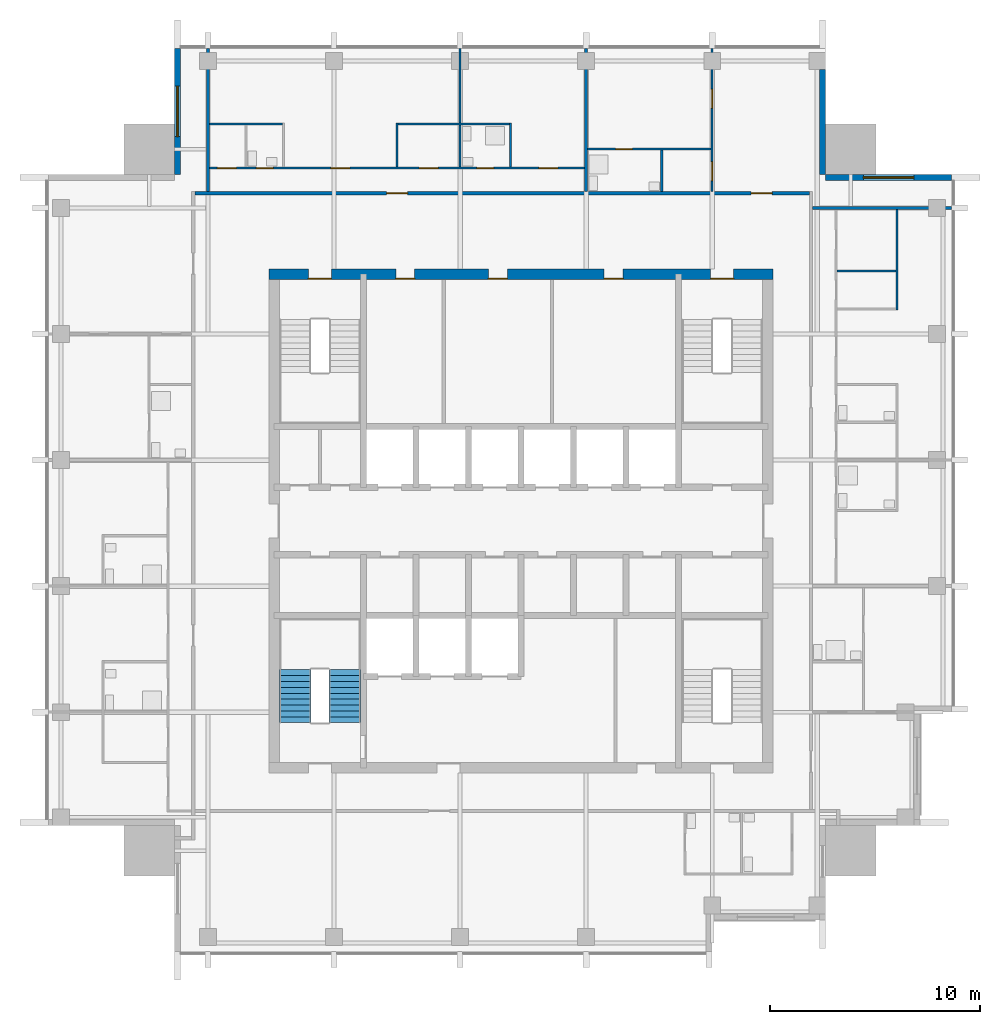
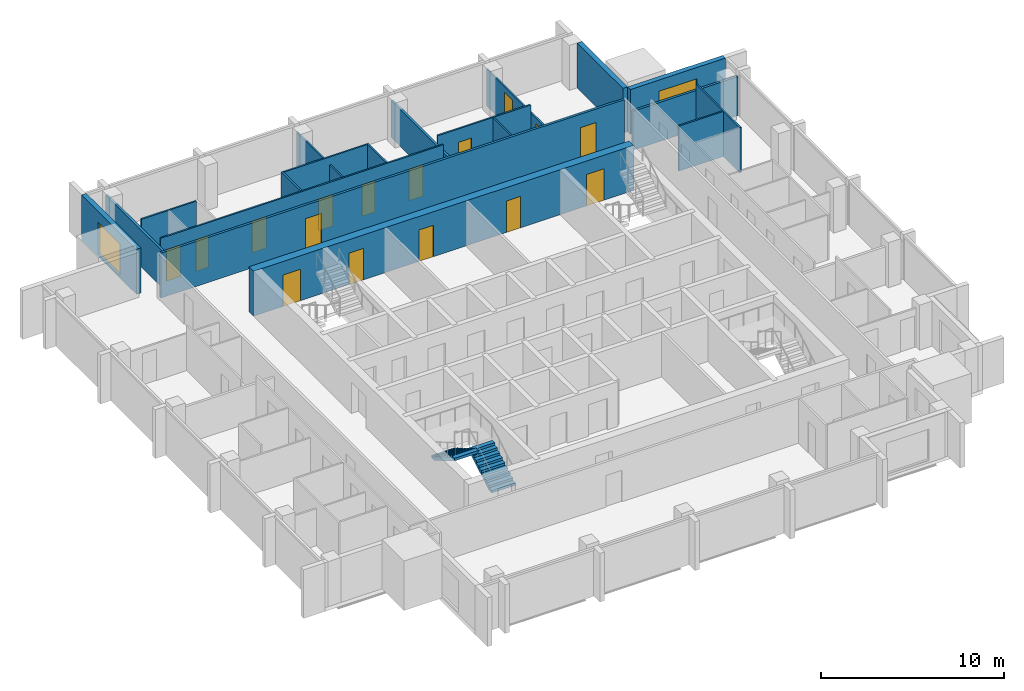
# One storey, part 6 of 9: 19 walls, 16 doors, 2 stair flights, 2 windows, 18 openings, 1 element without a shape of its own.
"""IFC4 building model written with IfcOpenShell, lengths in metres."""

from ifc_helpers import new_model, si_unit, direction, frame, frame_2d, origin, place, context, subcontext, project, spatial, polyline, rectangle, outline, extrude, material, layer, layer_set, type_object, element, fill, aggregate, save


model = new_model("IFC4")

# Units and contexts
model_context = context("Model", 3, precision=1e-05, world=origin(), true_north=direction((0.0, 1.0)))
body_context = subcontext(model_context, "Body", "Model", "MODEL_VIEW")
ifc_project = project(units=[si_unit("LENGTHUNIT", "METRE"), si_unit("AREAUNIT", "SQUARE_METRE"), si_unit("VOLUMEUNIT", "CUBIC_METRE"), si_unit("PLANEANGLEUNIT", "RADIAN"), si_unit("MASSUNIT", "GRAM", prefix="KILO")], contexts=[model_context])

# Site, building, storey
site_placement = place(None, origin())
site = spatial("IfcSite", under=ifc_project, at=site_placement, CompositionType="ELEMENT")
building_placement = place(site_placement, origin())
building = spatial("IfcBuilding", under=site, at=building_placement, Name="Amberfall Residences", CompositionType="ELEMENT")
storey_placement = place(building_placement, frame((0.0, 0.0, 278.5)))
storey = spatial("IfcBuildingStorey", under=building, at=storey_placement, Name="L75", CompositionType="ELEMENT", Elevation=278.5)

# Wall, opening, window
ifc_material_1 = material(Name="Pale stone cladding on insulated backing", Category="masonry")
ifc_layer_1 = layer(ifc_material_1, 0.300048828125)
ifc_layer_set_1 = layer_set([ifc_layer_1], Name="Bronze clad wall 300")
wall_type_1 = type_object("IfcWallType", Name="Bronze clad wall 300", PredefinedType="SOLIDWALL", material=ifc_layer_set_1)
wall_1_placement = place(storey_placement, frame((95.0, 61.85009765625, 0.0), z_axis=(0.0, 0.0, 1.0), x_axis=(-1.0, 0.0, 0.0)))
wall_1 = element("IfcWall", 1, at=wall_1_placement, inside=storey, type_object=wall_type_1, Name="External wall L75 NE", PredefinedType="SOLIDWALL", context=body_context, shape_type="SweptSolid", body=[
    extrude(rectangle(XDim=6.0, YDim=0.300048828125, at=frame_2d((3.0, 0.0))), origin(), (0.0, 0.0, 1.0), 3.0),
])
opening_1_placement = place(wall_1_placement, frame((1.800048828125, 0.0, 0.14990234375)))
opening_1 = element("IfcOpeningElement", 2, at=opening_1_placement, cuts=wall_1, Name="Opening WN5", PredefinedType="OPENING", context=body_context, shape_type="SweptSolid", body=[
    extrude(rectangle(XDim=2.39990234375, YDim=2.10009765625, at=frame_2d((1.199951171875, 1.050048828125))), frame((0.0, 0.159912109375, 0.0), z_axis=(0.0, -1.0, 0.0), x_axis=(1.0, 0.0, 0.0)), (0.0, 0.0, 1.0), 0.320068359375),
])
ifc_material_2 = material(Name="Bronze aluminium framed glazing", Category="aluminium")
window_type = type_object("IfcWindowType", Name="Glazed opening 2400 x 2100 bronze", PartitioningType="DOUBLE_PANEL_VERTICAL", PredefinedType="WINDOW", material=ifc_material_2)
window_1_placement = place(opening_1_placement, origin())
window_1 = element("IfcWindow", 3, at=window_1_placement, inside=storey, type_object=window_type, Name="Window L75 NE", OverallHeight=2.10009765625, OverallWidth=2.39990234375, PartitioningType="DOUBLE_PANEL_VERTICAL", PredefinedType="WINDOW", context=body_context, shape_type="SweptSolid", body=[
    extrude(rectangle(XDim=2.39990234375, YDim=2.10009765625, at=frame_2d((1.199951171875, 1.050048828125))), frame((0.0, 0.030029296875, 0.0), z_axis=(0.0, -1.0, 0.0), x_axis=(1.0, 0.0, 0.0)), (0.0, 0.0, 1.0), 0.06005859375),
])
fill(opening_1, window_1)

# Wall
wall_2_placement = place(storey_placement, frame((88.85009765625, 62.0, 0.0), z_axis=(0.0, 0.0, 1.0), x_axis=(0.0, 1.0, 0.0)))
element("IfcWall", 4, at=wall_2_placement, inside=storey, type_object=wall_type_1, Name="External wall L75 NE", PredefinedType="SOLIDWALL", context=body_context, shape_type="SweptSolid", body=[
    extrude(rectangle(XDim=5.0, YDim=0.300048828125, at=frame_2d((2.5, 0.0))), origin(), (0.0, 0.0, 1.0), 3.0),
])

# Wall, opening, window
wall_3_placement = place(storey_placement, frame((58.14990234375, 68.0, 0.0), z_axis=(0.0, 0.0, 1.0), x_axis=(0.0, -1.0, 0.0)))
wall_3 = element("IfcWall", 5, at=wall_3_placement, inside=storey, type_object=wall_type_1, Name="External wall L75 NW", PredefinedType="SOLIDWALL", context=body_context, shape_type="SweptSolid", body=[
    extrude(rectangle(XDim=6.0, YDim=0.300048828125, at=frame_2d((3.0, 0.0))), origin(), (0.0, 0.0, 1.0), 3.0),
])
opening_2_placement = place(wall_3_placement, frame((1.800048828125, 0.0, 0.14990234375)))
opening_2 = element("IfcOpeningElement", 6, at=opening_2_placement, cuts=wall_3, Name="Opening WN5", PredefinedType="OPENING", context=body_context, shape_type="SweptSolid", body=[
    extrude(rectangle(XDim=2.39990234375, YDim=2.10009765625, at=frame_2d((1.199951171875, 1.050048828125))), frame((0.0, 0.159912109375, 0.0), z_axis=(0.0, -1.0, 0.0), x_axis=(1.0, 0.0, 0.0)), (0.0, 0.0, 1.0), 0.320068359375),
])
window_2_placement = place(opening_2_placement, origin())
window_2 = element("IfcWindow", 7, at=window_2_placement, inside=storey, type_object=window_type, Name="Window L75 NW", OverallHeight=2.10009765625, OverallWidth=2.39990234375, PartitioningType="DOUBLE_PANEL_VERTICAL", PredefinedType="WINDOW", context=body_context, shape_type="SweptSolid", body=[
    extrude(rectangle(XDim=2.39990234375, YDim=2.10009765625, at=frame_2d((1.199951171875, 1.050048828125))), frame((0.0, 0.030029296875, 0.0), z_axis=(0.0, -1.0, 0.0), x_axis=(1.0, 0.0, 0.0)), (0.0, 0.0, 1.0), 0.06005859375),
])
fill(opening_2, window_2)

# Wall, openings, doors
ifc_material_3 = material(Name="Concrete C50", Category="concrete")
ifc_layer_2 = layer(ifc_material_3, 0.5)
ifc_layer_set_2 = layer_set([ifc_layer_2], Name="Core wall 500 C50")
wall_type_2 = type_object("IfcWallType", Name="Core wall 500 C50", PredefinedType="SHEAR", material=ifc_layer_set_2)
wall_4_placement = place(storey_placement, frame((62.5, 57.25, 0.0), z_axis=(0.0, 0.0, 1.0), x_axis=(1.0, 0.0, 0.0)))
wall_4 = element("IfcWall", 8, at=wall_4_placement, inside=storey, type_object=wall_type_2, Name="Core wall RW9 L75 ON", PredefinedType="SHEAR", context=body_context, shape_type="SweptSolid", body=[
    extrude(rectangle(XDim=24.0, YDim=0.5, at=frame_2d((12.0, 0.0))), origin(), (0.0, 0.0, 1.0), 3.0),
])
opening_3_placement = place(wall_4_placement, frame((21.02490234375, 0.0, 0.0)))
opening_3 = element("IfcOpeningElement", 9, at=opening_3_placement, cuts=wall_4, Name="Opening SD1", PredefinedType="OPENING", context=body_context, shape_type="SweptSolid", body=[
    extrude(rectangle(XDim=1.10009765625, YDim=2.10009765625, at=frame_2d((0.550048828125, 1.050048828125))), frame((0.0, 0.260009765625, 0.0), z_axis=(0.0, -1.0, 0.0), x_axis=(1.0, 0.0, 0.0)), (0.0, 0.0, 1.0), 0.52001953125),
])
opening_4_placement = place(wall_4_placement, frame((1.875, 0.0, 0.0)))
opening_4 = element("IfcOpeningElement", 10, at=opening_4_placement, cuts=wall_4, Name="Opening SD1", PredefinedType="OPENING", context=body_context, shape_type="SweptSolid", body=[
    extrude(rectangle(XDim=1.10009765625, YDim=2.10009765625, at=frame_2d((0.550048828125, 1.050048828125))), frame((0.0, 0.260009765625, 0.0), z_axis=(0.0, -1.0, 0.0), x_axis=(1.0, 0.0, 0.0)), (0.0, 0.0, 1.0), 0.52001953125),
])
opening_5_placement = place(wall_4_placement, frame((6.03759765625, 0.0, 0.0)))
opening_5 = element("IfcOpeningElement", 11, at=opening_5_placement, cuts=wall_4, Name="Opening RD1", PredefinedType="OPENING", context=body_context, shape_type="SweptSolid", body=[
    extrude(rectangle(XDim=0.89990234375, YDim=2.10009765625, at=frame_2d((0.449951171875, 1.050048828125))), frame((0.0, 0.260009765625, 0.0), z_axis=(0.0, -1.0, 0.0), x_axis=(1.0, 0.0, 0.0)), (0.0, 0.0, 1.0), 0.52001953125),
])
opening_6_placement = place(wall_4_placement, frame((10.447509765625, 0.0, 0.0)))
opening_6 = element("IfcOpeningElement", 12, at=opening_6_placement, cuts=wall_4, Name="Opening RD1", PredefinedType="OPENING", context=body_context, shape_type="SweptSolid", body=[
    extrude(rectangle(XDim=0.89990234375, YDim=2.10009765625, at=frame_2d((0.449951171875, 1.050048828125))), frame((0.0, 0.260009765625, 0.0), z_axis=(0.0, -1.0, 0.0), x_axis=(1.0, 0.0, 0.0)), (0.0, 0.0, 1.0), 0.52001953125),
])
opening_7_placement = place(wall_4_placement, frame((15.9599609375, 0.0, 0.0)))
opening_7 = element("IfcOpeningElement", 13, at=opening_7_placement, cuts=wall_4, Name="Opening RD1", PredefinedType="OPENING", context=body_context, shape_type="SweptSolid", body=[
    extrude(rectangle(XDim=0.89990234375, YDim=2.10009765625, at=frame_2d((0.449951171875, 1.050048828125))), frame((0.0, 0.260009765625, 0.0), z_axis=(0.0, -1.0, 0.0), x_axis=(1.0, 0.0, 0.0)), (0.0, 0.0, 1.0), 0.52001953125),
])
ifc_material_4 = material(Name="Steel fire door set", Category="steel")
door_type_1 = type_object("IfcDoorType", Name="Service room door 900 x 2100", OperationType="SINGLE_SWING_LEFT", PredefinedType="DOOR", material=ifc_material_4)
door_1_placement = place(opening_5_placement, origin())
door_1 = element("IfcDoor", 14, at=door_1_placement, inside=storey, type_object=door_type_1, Name="RD1 L75", OperationType="SINGLE_SWING_RIGHT", OverallHeight=2.10009765625, OverallWidth=0.89990234375, PredefinedType="DOOR", context=body_context, shape_type="SweptSolid", body=[
    extrude(rectangle(XDim=0.89990234375, YDim=2.10009765625, at=frame_2d((0.449951171875, 1.050048828125))), frame((0.0, -0.1875, 0.0), z_axis=(0.0, -1.0, 0.0), x_axis=(1.0, 0.0, 0.0)), (0.0, 0.0, 1.0), 0.050048828125),
])
fill(opening_5, door_1)
door_2_placement = place(opening_6_placement, origin())
door_2 = element("IfcDoor", 15, at=door_2_placement, inside=storey, type_object=door_type_1, Name="RD1 L75", OperationType="SINGLE_SWING_RIGHT", OverallHeight=2.10009765625, OverallWidth=0.89990234375, PredefinedType="DOOR", context=body_context, shape_type="SweptSolid", body=[
    extrude(rectangle(XDim=0.89990234375, YDim=2.10009765625, at=frame_2d((0.449951171875, 1.050048828125))), frame((0.0, -0.1875, 0.0), z_axis=(0.0, -1.0, 0.0), x_axis=(1.0, 0.0, 0.0)), (0.0, 0.0, 1.0), 0.050048828125),
])
fill(opening_6, door_2)
door_3_placement = place(opening_7_placement, origin())
door_3 = element("IfcDoor", 16, at=door_3_placement, inside=storey, type_object=door_type_1, Name="RD1 L75", OperationType="SINGLE_SWING_RIGHT", OverallHeight=2.10009765625, OverallWidth=0.89990234375, PredefinedType="DOOR", context=body_context, shape_type="SweptSolid", body=[
    extrude(rectangle(XDim=0.89990234375, YDim=2.10009765625, at=frame_2d((0.449951171875, 1.050048828125))), frame((0.0, -0.1875, 0.0), z_axis=(0.0, -1.0, 0.0), x_axis=(1.0, 0.0, 0.0)), (0.0, 0.0, 1.0), 0.050048828125),
])
fill(opening_7, door_3)
door_type_2 = type_object("IfcDoorType", Name="Stair door 1100 x 2100", OperationType="SINGLE_SWING_LEFT", PredefinedType="DOOR", material=ifc_material_4)
door_4_placement = place(opening_3_placement, origin())
door_4 = element("IfcDoor", 17, at=door_4_placement, inside=storey, type_object=door_type_2, Name="SD1 L75", OperationType="SINGLE_SWING_RIGHT", OverallHeight=2.10009765625, OverallWidth=1.10009765625, PredefinedType="DOOR", context=body_context, shape_type="SweptSolid", body=[
    extrude(rectangle(XDim=1.10009765625, YDim=2.10009765625, at=frame_2d((0.550048828125, 1.050048828125))), frame((0.0, -0.1875, 0.0), z_axis=(0.0, -1.0, 0.0), x_axis=(1.0, 0.0, 0.0)), (0.0, 0.0, 1.0), 0.050048828125),
])
fill(opening_3, door_4)
door_5_placement = place(opening_4_placement, origin())
door_5 = element("IfcDoor", 18, at=door_5_placement, inside=storey, type_object=door_type_2, Name="SD1 L75", OperationType="SINGLE_SWING_LEFT", OverallHeight=2.10009765625, OverallWidth=1.10009765625, PredefinedType="DOOR", context=body_context, shape_type="SweptSolid", body=[
    extrude(rectangle(XDim=1.10009765625, YDim=2.10009765625, at=frame_2d((0.550048828125, 1.050048828125))), frame((0.0, -0.1875, 0.0), z_axis=(0.0, -1.0, 0.0), x_axis=(1.0, 0.0, 0.0)), (0.0, 0.0, 1.0), 0.050048828125),
])
fill(opening_4, door_5)

# Walls
ifc_material_5 = material(Name="Gypsum board on metal stud")
ifc_layer_3 = layer(ifc_material_5, 0.10009765625)
ifc_layer_set_3 = layer_set([ifc_layer_3], Name="Flat partition 100")
wall_type_3 = type_object("IfcWallType", Name="Flat partition 100", PredefinedType="PARTITIONING", material=ifc_layer_set_3)
wall_5_placement = place(storey_placement, frame((68.60009765625, 62.35009765625, 0.0), z_axis=(0.0, 0.0, 1.0), x_axis=(0.0, 1.0, 0.0)))
element("IfcWall", 19, at=wall_5_placement, inside=storey, type_object=wall_type_3, Name="Partition 007", PredefinedType="PARTITIONING", context=body_context, shape_type="SweptSolid", body=[
    extrude(rectangle(XDim=2.099853515625, YDim=0.10009765625, at=frame_2d((1.0498046875, 0.0))), origin(), (0.0, 0.0, 1.0), 3.0),
])
wall_6_placement = place(storey_placement, frame((71.60009765625, 62.35009765625, 0.0), z_axis=(0.0, 0.0, 1.0), x_axis=(0.0, 1.0, 0.0)))
element("IfcWall", 20, at=wall_6_placement, inside=storey, type_object=wall_type_3, Name="Partition 008", PredefinedType="PARTITIONING", context=body_context, shape_type="SweptSolid", body=[
    extrude(rectangle(XDim=5.64990234375, YDim=0.10009765625, at=frame_2d((2.824951171875, 0.0))), origin(), (0.0, 0.0, 1.0), 2.466064453125),
])
wall_7_placement = place(storey_placement, frame((74.0, 62.35009765625, 0.0), z_axis=(0.0, 0.0, 1.0), x_axis=(0.0, 1.0, 0.0)))
element("IfcWall", 21, at=wall_7_placement, inside=storey, type_object=wall_type_3, Name="Partition 009", PredefinedType="PARTITIONING", context=body_context, shape_type="SweptSolid", body=[
    extrude(rectangle(XDim=2.099853515625, YDim=0.10009765625, at=frame_2d((1.0498046875, 0.0))), origin(), (0.0, 0.0, 1.0), 3.0),
])
wall_8_placement = place(storey_placement, frame((81.199951171875, 61.175048828125, 0.0), z_axis=(0.0, 0.0, 1.0), x_axis=(0.0, 1.0, 0.0)))
element("IfcWall", 22, at=wall_8_placement, inside=storey, type_object=wall_type_3, Name="Partition 010", PredefinedType="PARTITIONING", context=body_context, shape_type="SweptSolid", body=[
    extrude(rectangle(XDim=1.974853515625, YDim=0.10009765625, at=frame_2d((0.9873046875, 0.0))), origin(), (0.0, 0.0, 1.0), 3.0),
])

# Wall, openings, doors
wall_9_placement = place(storey_placement, frame((83.60009765625, 61.175048828125, 0.0), z_axis=(0.0, 0.0, 1.0), x_axis=(0.0, 1.0, 0.0)))
wall_9 = element("IfcWall", 23, at=wall_9_placement, inside=storey, type_object=wall_type_3, Name="Partition 012", PredefinedType="PARTITIONING", context=body_context, shape_type="SweptSolid", body=[
    extrude(rectangle(XDim=6.824951171875, YDim=0.10009765625, at=frame_2d((3.41259765625, 0.0))), origin(), (0.0, 0.0, 1.0), 2.466064453125),
])
opening_8_placement = place(wall_9_placement, frame((0.52490234375, 0.0, 0.0)))
opening_8 = element("IfcOpeningElement", 24, at=opening_8_placement, cuts=wall_9, Name="Opening D41", PredefinedType="OPENING", context=body_context, shape_type="SweptSolid", body=[
    extrude(rectangle(XDim=0.89990234375, YDim=2.10009765625, at=frame_2d((0.449951171875, 1.050048828125))), frame((0.0, 0.06005859375, 0.0), z_axis=(0.0, -1.0, 0.0), x_axis=(1.0, 0.0, 0.0)), (0.0, 0.0, 1.0), 0.1201171875),
])
opening_9_placement = place(wall_9_placement, frame((3.97509765625, 0.0, 0.0)))
opening_9 = element("IfcOpeningElement", 25, at=opening_9_placement, cuts=wall_9, Name="Opening D41", PredefinedType="OPENING", context=body_context, shape_type="SweptSolid", body=[
    extrude(rectangle(XDim=0.89990234375, YDim=2.10009765625, at=frame_2d((0.449951171875, 1.050048828125))), frame((0.0, 0.06005859375, 0.0), z_axis=(0.0, -1.0, 0.0), x_axis=(1.0, 0.0, 0.0)), (0.0, 0.0, 1.0), 0.1201171875),
])
ifc_material_6 = material(Name="Timber", Category="wood")
door_type_3 = type_object("IfcDoorType", Name="Internal door 900 x 2100", OperationType="SINGLE_SWING_LEFT", PredefinedType="DOOR", material=ifc_material_6)
door_6_placement = place(opening_8_placement, origin())
door_6 = element("IfcDoor", 26, at=door_6_placement, inside=storey, type_object=door_type_3, Name="Door 7504 kitchen", OperationType="SINGLE_SWING_LEFT", OverallHeight=2.10009765625, OverallWidth=0.89990234375, PredefinedType="DOOR", context=body_context, shape_type="SweptSolid", body=[
    extrude(rectangle(XDim=0.89990234375, YDim=2.10009765625, at=frame_2d((0.449951171875, 1.050048828125))), frame((0.0, 0.02490234375, 0.0), z_axis=(0.0, -1.0, 0.0), x_axis=(1.0, 0.0, 0.0)), (0.0, 0.0, 1.0), 0.050048828125),
])
fill(opening_8, door_6)
door_7_placement = place(opening_9_placement, origin())
door_7 = element("IfcDoor", 27, at=door_7_placement, inside=storey, type_object=door_type_3, Name="Door 7504 bedroom1", OperationType="SINGLE_SWING_LEFT", OverallHeight=2.10009765625, OverallWidth=0.89990234375, PredefinedType="DOOR", context=body_context, shape_type="SweptSolid", body=[
    extrude(rectangle(XDim=0.89990234375, YDim=2.10009765625, at=frame_2d((0.449951171875, 1.050048828125))), frame((0.0, 0.02490234375, 0.0), z_axis=(0.0, -1.0, 0.0), x_axis=(1.0, 0.0, 0.0)), (0.0, 0.0, 1.0), 0.050048828125),
])
fill(opening_9, door_7)

# Walls
wall_10_placement = place(storey_placement, frame((92.39990234375, 55.550048828125, 0.0), z_axis=(0.0, 0.0, 1.0), x_axis=(0.0, 1.0, 0.0)))
element("IfcWall", 28, at=wall_10_placement, inside=storey, type_object=wall_type_3, Name="Partition 018", PredefinedType="PARTITIONING", context=body_context, shape_type="SweptSolid", body=[
    extrude(rectangle(XDim=4.77490234375, YDim=0.10009765625, at=frame_2d((2.387451171875, 0.0))), origin(), (0.0, 0.0, 1.0), 3.0),
])
wall_11_placement = place(storey_placement, frame((59.675048828125, 64.39990234375, 0.0), z_axis=(0.0, 0.0, 1.0), x_axis=(1.0, 0.0, 0.0)))
element("IfcWall", 29, at=wall_11_placement, inside=storey, type_object=wall_type_3, Name="Partition 019", PredefinedType="PARTITIONING", context=body_context, shape_type="SweptSolid", body=[
    extrude(rectangle(XDim=3.474853515625, YDim=0.10009765625, at=frame_2d((1.7373046875, 0.0))), origin(), (0.0, 0.0, 1.0), 3.0),
])
wall_12_placement = place(storey_placement, frame((68.64990234375, 64.39990234375, 0.0), z_axis=(0.0, 0.0, 1.0), x_axis=(1.0, 0.0, 0.0)))
element("IfcWall", 30, at=wall_12_placement, inside=storey, type_object=wall_type_3, Name="Partition 020", PredefinedType="PARTITIONING", context=body_context, shape_type="SweptSolid", body=[
    extrude(rectangle(XDim=5.300048828125, YDim=0.10009765625, at=frame_2d((2.64990234375, 0.0))), origin(), (0.0, 0.0, 1.0), 3.0),
])

# Wall, opening, door
wall_13_placement = place(storey_placement, frame((83.550048828125, 63.199951171875, 0.0), z_axis=(0.0, 0.0, 1.0), x_axis=(-1.0, 0.0, 0.0)))
wall_13 = element("IfcWall", 31, at=wall_13_placement, inside=storey, type_object=wall_type_3, Name="Partition 021", PredefinedType="PARTITIONING", context=body_context, shape_type="SweptSolid", body=[
    extrude(rectangle(XDim=5.875, YDim=0.10009765625, at=frame_2d((2.9375, 0.0))), origin(), (0.0, 0.0, 1.0), 3.0),
])
opening_10_placement = place(wall_13_placement, frame((3.75, 0.0, 0.0)))
opening_10 = element("IfcOpeningElement", 32, at=opening_10_placement, cuts=wall_13, Name="Opening D42", PredefinedType="OPENING", context=body_context, shape_type="SweptSolid", body=[
    extrude(rectangle(XDim=0.800048828125, YDim=2.10009765625, at=frame_2d((0.39990234375, 1.050048828125))), frame((0.0, 0.06005859375, 0.0), z_axis=(0.0, -1.0, 0.0), x_axis=(1.0, 0.0, 0.0)), (0.0, 0.0, 1.0), 0.1201171875),
])
door_type_4 = type_object("IfcDoorType", Name="Bathroom door 800 x 2100", OperationType="SINGLE_SWING_LEFT", PredefinedType="DOOR", material=ifc_material_6)
door_8_placement = place(opening_10_placement, origin())
door_8 = element("IfcDoor", 33, at=door_8_placement, inside=storey, type_object=door_type_4, Name="Door 7504 bath1", OperationType="SINGLE_SWING_LEFT", OverallHeight=2.10009765625, OverallWidth=0.800048828125, PredefinedType="DOOR", context=body_context, shape_type="SweptSolid", body=[
    extrude(rectangle(XDim=0.800048828125, YDim=2.10009765625, at=frame_2d((0.39990234375, 1.050048828125))), frame((0.0, 0.02490234375, 0.0), z_axis=(0.0, -1.0, 0.0), x_axis=(1.0, 0.0, 0.0)), (0.0, 0.0, 1.0), 0.050048828125),
])
fill(opening_10, door_8)

# Wall, openings, doors
wall_14_placement = place(storey_placement, frame((59.675048828125, 62.300048828125, 0.0), z_axis=(0.0, 0.0, 1.0), x_axis=(1.0, 0.0, 0.0)))
wall_14 = element("IfcWall", 34, at=wall_14_placement, inside=storey, type_object=wall_type_3, Name="Partition 022", PredefinedType="PARTITIONING", context=body_context, shape_type="SweptSolid", body=[
    extrude(rectangle(XDim=17.849853515625, YDim=0.10009765625, at=frame_2d((8.9248046875, 0.0))), origin(), (0.0, 0.0, 1.0), 3.0),
])
opening_11_placement = place(wall_14_placement, frame((5.77490234375, 0.0, 0.0)))
opening_11 = element("IfcOpeningElement", 35, at=opening_11_placement, cuts=wall_14, Name="Opening D41", PredefinedType="OPENING", context=body_context, shape_type="SweptSolid", body=[
    extrude(rectangle(XDim=0.89990234375, YDim=2.10009765625, at=frame_2d((0.449951171875, 1.050048828125))), frame((0.0, 0.06005859375, 0.0), z_axis=(0.0, -1.0, 0.0), x_axis=(1.0, 0.0, 0.0)), (0.0, 0.0, 1.0), 0.1201171875),
])
opening_12_placement = place(wall_14_placement, frame((9.97509765625, 0.0, 0.0)))
opening_12 = element("IfcOpeningElement", 36, at=opening_12_placement, cuts=wall_14, Name="Opening D41", PredefinedType="OPENING", context=body_context, shape_type="SweptSolid", body=[
    extrude(rectangle(XDim=0.89990234375, YDim=2.10009765625, at=frame_2d((0.449951171875, 1.050048828125))), frame((0.0, 0.06005859375, 0.0), z_axis=(0.0, -1.0, 0.0), x_axis=(1.0, 0.0, 0.0)), (0.0, 0.0, 1.0), 0.1201171875),
])
opening_13_placement = place(wall_14_placement, frame((0.375, 0.0, 0.0)))
opening_13 = element("IfcOpeningElement", 37, at=opening_13_placement, cuts=wall_14, Name="Opening D41", PredefinedType="OPENING", context=body_context, shape_type="SweptSolid", body=[
    extrude(rectangle(XDim=0.89990234375, YDim=2.10009765625, at=frame_2d((0.449951171875, 1.050048828125))), frame((0.0, 0.06005859375, 0.0), z_axis=(0.0, -1.0, 0.0), x_axis=(1.0, 0.0, 0.0)), (0.0, 0.0, 1.0), 0.1201171875),
])
opening_14_placement = place(wall_14_placement, frame((2.22509765625, 0.0, 0.0)))
opening_14 = element("IfcOpeningElement", 38, at=opening_14_placement, cuts=wall_14, Name="Opening D42", PredefinedType="OPENING", context=body_context, shape_type="SweptSolid", body=[
    extrude(rectangle(XDim=0.800048828125, YDim=2.10009765625, at=frame_2d((0.39990234375, 1.050048828125))), frame((0.0, 0.06005859375, 0.0), z_axis=(0.0, -1.0, 0.0), x_axis=(1.0, 0.0, 0.0)), (0.0, 0.0, 1.0), 0.1201171875),
])
opening_15_placement = place(wall_14_placement, frame((15.675048828125, 0.0, 0.0)))
opening_15 = element("IfcOpeningElement", 39, at=opening_15_placement, cuts=wall_14, Name="Opening D41", PredefinedType="OPENING", context=body_context, shape_type="SweptSolid", body=[
    extrude(rectangle(XDim=0.89990234375, YDim=2.10009765625, at=frame_2d((0.449951171875, 1.050048828125))), frame((0.0, 0.06005859375, 0.0), z_axis=(0.0, -1.0, 0.0), x_axis=(1.0, 0.0, 0.0)), (0.0, 0.0, 1.0), 0.1201171875),
])
opening_16_placement = place(wall_14_placement, frame((12.72509765625, 0.0, 0.0)))
opening_16 = element("IfcOpeningElement", 40, at=opening_16_placement, cuts=wall_14, Name="Opening D42", PredefinedType="OPENING", context=body_context, shape_type="SweptSolid", body=[
    extrude(rectangle(XDim=0.800048828125, YDim=2.10009765625, at=frame_2d((0.39990234375, 1.050048828125))), frame((0.0, 0.06005859375, 0.0), z_axis=(0.0, -1.0, 0.0), x_axis=(1.0, 0.0, 0.0)), (0.0, 0.0, 1.0), 0.1201171875),
])
door_9_placement = place(opening_14_placement, origin())
door_9 = element("IfcDoor", 41, at=door_9_placement, inside=storey, type_object=door_type_4, Name="Door 7503 wc1", OperationType="SINGLE_SWING_LEFT", OverallHeight=2.10009765625, OverallWidth=0.800048828125, PredefinedType="DOOR", context=body_context, shape_type="SweptSolid", body=[
    extrude(rectangle(XDim=0.800048828125, YDim=2.10009765625, at=frame_2d((0.39990234375, 1.050048828125))), frame((0.0, 0.02490234375, 0.0), z_axis=(0.0, -1.0, 0.0), x_axis=(1.0, 0.0, 0.0)), (0.0, 0.0, 1.0), 0.050048828125),
])
fill(opening_14, door_9)
door_10_placement = place(opening_16_placement, origin())
door_10 = element("IfcDoor", 42, at=door_10_placement, inside=storey, type_object=door_type_4, Name="Door 7503 bath1", OperationType="SINGLE_SWING_LEFT", OverallHeight=2.10009765625, OverallWidth=0.800048828125, PredefinedType="DOOR", context=body_context, shape_type="SweptSolid", body=[
    extrude(rectangle(XDim=0.800048828125, YDim=2.10009765625, at=frame_2d((0.39990234375, 1.050048828125))), frame((0.0, 0.02490234375, 0.0), z_axis=(0.0, -1.0, 0.0), x_axis=(1.0, 0.0, 0.0)), (0.0, 0.0, 1.0), 0.050048828125),
])
fill(opening_16, door_10)
door_11_placement = place(opening_11_placement, origin())
door_11 = element("IfcDoor", 43, at=door_11_placement, inside=storey, type_object=door_type_3, Name="Door 7503 living", OperationType="SINGLE_SWING_LEFT", OverallHeight=2.10009765625, OverallWidth=0.89990234375, PredefinedType="DOOR", context=body_context, shape_type="SweptSolid", body=[
    extrude(rectangle(XDim=0.89990234375, YDim=2.10009765625, at=frame_2d((0.449951171875, 1.050048828125))), frame((0.0, 0.02490234375, 0.0), z_axis=(0.0, -1.0, 0.0), x_axis=(1.0, 0.0, 0.0)), (0.0, 0.0, 1.0), 0.050048828125),
])
fill(opening_11, door_11)
door_12_placement = place(opening_12_placement, origin())
door_12 = element("IfcDoor", 44, at=door_12_placement, inside=storey, type_object=door_type_3, Name="Door 7503 kitchen", OperationType="SINGLE_SWING_LEFT", OverallHeight=2.10009765625, OverallWidth=0.89990234375, PredefinedType="DOOR", context=body_context, shape_type="SweptSolid", body=[
    extrude(rectangle(XDim=0.89990234375, YDim=2.10009765625, at=frame_2d((0.449951171875, 1.050048828125))), frame((0.0, 0.02490234375, 0.0), z_axis=(0.0, -1.0, 0.0), x_axis=(1.0, 0.0, 0.0)), (0.0, 0.0, 1.0), 0.050048828125),
])
fill(opening_12, door_12)
door_13_placement = place(opening_13_placement, origin())
door_13 = element("IfcDoor", 45, at=door_13_placement, inside=storey, type_object=door_type_3, Name="Door 7503 store", OperationType="SINGLE_SWING_LEFT", OverallHeight=2.10009765625, OverallWidth=0.89990234375, PredefinedType="DOOR", context=body_context, shape_type="SweptSolid", body=[
    extrude(rectangle(XDim=0.89990234375, YDim=2.10009765625, at=frame_2d((0.449951171875, 1.050048828125))), frame((0.0, 0.02490234375, 0.0), z_axis=(0.0, -1.0, 0.0), x_axis=(1.0, 0.0, 0.0)), (0.0, 0.0, 1.0), 0.050048828125),
])
fill(opening_13, door_13)
door_14_placement = place(opening_15_placement, origin())
door_14 = element("IfcDoor", 46, at=door_14_placement, inside=storey, type_object=door_type_3, Name="Door 7503 bedroom1", OperationType="SINGLE_SWING_LEFT", OverallHeight=2.10009765625, OverallWidth=0.89990234375, PredefinedType="DOOR", context=body_context, shape_type="SweptSolid", body=[
    extrude(rectangle(XDim=0.89990234375, YDim=2.10009765625, at=frame_2d((0.449951171875, 1.050048828125))), frame((0.0, 0.02490234375, 0.0), z_axis=(0.0, -1.0, 0.0), x_axis=(1.0, 0.0, 0.0)), (0.0, 0.0, 1.0), 0.050048828125),
])
fill(opening_15, door_14)

# Walls
wall_15_placement = place(storey_placement, frame((89.550048828125, 57.39990234375, 0.0), z_axis=(0.0, 0.0, 1.0), x_axis=(1.0, 0.0, 0.0)))
element("IfcWall", 47, at=wall_15_placement, inside=storey, type_object=wall_type_3, Name="Partition 023", PredefinedType="PARTITIONING", context=body_context, shape_type="SweptSolid", body=[
    extrude(rectangle(XDim=2.800048828125, YDim=0.10009765625, at=frame_2d((1.39990234375, 0.0))), origin(), (0.0, 0.0, 1.0), 3.0),
])
ifc_material_7 = material(Name="Blockwork, plastered", Category="masonry")
ifc_layer_4 = layer(ifc_material_7, 0.14990234375)
ifc_layer_set_4 = layer_set([ifc_layer_4], Name="Flat separating wall 150")
wall_type_4 = type_object("IfcWallType", Name="Flat separating wall 150", PredefinedType="PARTITIONING", material=ifc_layer_set_4)
wall_16_placement = place(storey_placement, frame((59.60009765625, 61.175048828125, 0.0), z_axis=(0.0, 0.0, 1.0), x_axis=(0.0, 1.0, 0.0)))
element("IfcWall", 48, at=wall_16_placement, inside=storey, type_object=wall_type_4, Name="Separating wall 041", PredefinedType="PARTITIONING", context=body_context, shape_type="SweptSolid", body=[
    extrude(rectangle(XDim=6.824951171875, YDim=0.14990234375, at=frame_2d((3.41259765625, 0.0))), origin(), (0.0, 0.0, 1.0), 2.4599609375),
])
wall_17_placement = place(storey_placement, frame((77.60009765625, 61.175048828125, 0.0), z_axis=(0.0, 0.0, 1.0), x_axis=(0.0, 1.0, 0.0)))
element("IfcWall", 49, at=wall_17_placement, inside=storey, type_object=wall_type_4, Name="Separating wall 042", PredefinedType="PARTITIONING", context=body_context, shape_type="SweptSolid", body=[
    extrude(rectangle(XDim=6.824951171875, YDim=0.14990234375, at=frame_2d((3.41259765625, 0.0))), origin(), (0.0, 0.0, 1.0), 2.466064453125),
])

# Wall, openings, doors
wall_18_placement = place(storey_placement, frame((58.97509765625, 61.10009765625, 0.0), z_axis=(0.0, 0.0, 1.0), x_axis=(1.0, 0.0, 0.0)))
wall_18 = element("IfcWall", 50, at=wall_18_placement, inside=storey, type_object=wall_type_4, Name="Separating wall 045", PredefinedType="PARTITIONING", context=body_context, shape_type="SweptSolid", body=[
    extrude(rectangle(XDim=29.25, YDim=0.14990234375, at=frame_2d((14.625, 0.0))), origin(), (0.0, 0.0, 1.0), 3.0),
])
opening_17_placement = place(wall_18_placement, frame((9.125, 0.0, 0.0)))
opening_17 = element("IfcOpeningElement", 51, at=opening_17_placement, cuts=wall_18, Name="Opening D40", PredefinedType="OPENING", context=body_context, shape_type="SweptSolid", body=[
    extrude(rectangle(XDim=1.0, YDim=2.10009765625, at=frame_2d((0.5, 1.050048828125))), frame((0.0, 0.0849609375, 0.0), z_axis=(0.0, -1.0, 0.0), x_axis=(1.0, 0.0, 0.0)), (0.0, 0.0, 1.0), 0.169921875),
])
opening_18_placement = place(wall_18_placement, frame((26.47509765625, 0.0, 0.0)))
opening_18 = element("IfcOpeningElement", 52, at=opening_18_placement, cuts=wall_18, Name="Opening D40", PredefinedType="OPENING", context=body_context, shape_type="SweptSolid", body=[
    extrude(rectangle(XDim=1.0, YDim=2.10009765625, at=frame_2d((0.5, 1.050048828125))), frame((0.0, 0.0849609375, 0.0), z_axis=(0.0, -1.0, 0.0), x_axis=(1.0, 0.0, 0.0)), (0.0, 0.0, 1.0), 0.169921875),
])
ifc_material_8 = material(Name="Timber, fire-rated", Category="wood")
door_type_5 = type_object("IfcDoorType", Name="Flat entrance door FD60 1000 x 2100", OperationType="SINGLE_SWING_LEFT", PredefinedType="DOOR", material=ifc_material_8)
door_15_placement = place(opening_17_placement, origin())
door_15 = element("IfcDoor", 53, at=door_15_placement, inside=storey, type_object=door_type_5, Name="Door 7503 entrance", OperationType="SINGLE_SWING_LEFT", OverallHeight=2.10009765625, OverallWidth=1.0, PredefinedType="DOOR", context=body_context, shape_type="SweptSolid", body=[
    extrude(rectangle(XDim=1.0, YDim=2.10009765625, at=frame_2d((0.5, 1.050048828125))), frame((0.0, 0.02490234375, 0.0), z_axis=(0.0, -1.0, 0.0), x_axis=(1.0, 0.0, 0.0)), (0.0, 0.0, 1.0), 0.050048828125),
])
fill(opening_17, door_15)
door_16_placement = place(opening_18_placement, origin())
door_16 = element("IfcDoor", 54, at=door_16_placement, inside=storey, type_object=door_type_5, Name="Door 7504 entrance", OperationType="SINGLE_SWING_LEFT", OverallHeight=2.10009765625, OverallWidth=1.0, PredefinedType="DOOR", context=body_context, shape_type="SweptSolid", body=[
    extrude(rectangle(XDim=1.0, YDim=2.10009765625, at=frame_2d((0.5, 1.050048828125))), frame((0.0, 0.02490234375, 0.0), z_axis=(0.0, -1.0, 0.0), x_axis=(1.0, 0.0, 0.0)), (0.0, 0.0, 1.0), 0.050048828125),
])
fill(opening_18, door_16)

# Wall
wall_19_placement = place(storey_placement, frame((88.375, 60.39990234375, 0.0), z_axis=(0.0, 0.0, 1.0), x_axis=(1.0, 0.0, 0.0)))
element("IfcWall", 55, at=wall_19_placement, inside=storey, type_object=wall_type_4, Name="Separating wall 046", PredefinedType="PARTITIONING", context=body_context, shape_type="SweptSolid", body=[
    extrude(rectangle(XDim=6.625, YDim=0.14990234375, at=frame_2d((3.3125, 0.0))), origin(), (0.0, 0.0, 1.0), 2.596923828125),
])

# Stair, stair flights
ifc_material_9 = material(Name="Concrete C40", Category="concrete")
stair_type = type_object("IfcStairType", Name="Exit stair 20 risers 165.0 mm", PredefinedType="HALF_TURN_STAIR", material=ifc_material_9)
stair_placement = place(storey_placement, origin())
stair = element("IfcStair", 56, at=stair_placement, inside=storey, type_object=stair_type, Name="L75 Exit stair 1", PredefinedType="HALF_TURN_STAIR")
stair_flight_type = type_object("IfcStairFlightType", Name="Stair flight 10 risers 165.0 mm", PredefinedType="STRAIGHT", material=ifc_material_9)
stair_flight_1_placement = place(storey_placement, frame((66.10009765625, 35.89990234375, 0.0), z_axis=(0.0, 0.0, 1.0), x_axis=(0.0, 1.0, 0.0)))
stair_flight_1 = element("IfcStairFlight", 57, at=stair_flight_1_placement, type_object=stair_flight_type, Name="ST3 flight 1", NumberOfRisers=10, NumberOfTreads=9, PredefinedType="STRAIGHT", RiserHeight=0.165, TreadLength=0.28, context=body_context, shape_type="SweptSolid", body=[
    extrude(outline(polyline([(0.0, 0.0), (0.0, 0.1650390625), (0.280029296875, 0.1650390625), (0.280029296875, 0.330078125), (0.56005859375, 0.330078125), (0.56005859375, 0.4951171875), (0.840087890625, 0.4951171875), (0.840087890625, 0.659912109375), (1.1201171875, 0.659912109375), (1.1201171875, 0.824951171875), (1.39990234375, 0.824951171875), (1.39990234375, 0.989990234375), (1.679931640625, 0.989990234375), (1.679931640625, 1.155029296875), (1.9599609375, 1.155029296875), (1.9599609375, 1.320068359375), (2.239990234375, 1.320068359375), (2.239990234375, 1.485107421875), (2.52001953125, 1.485107421875), (2.52001953125, 1.64990234375), (2.52001953125, 1.31103515625), (0.295166015625, 0.0), (0.0, 0.0)])), frame((0.0, 0.75, 0.0), z_axis=(0.0, -1.0, 0.0), x_axis=(1.0, 0.0, 0.0)), (0.0, 0.0, 1.0), 1.5),
])
stair_flight_2_placement = place(storey_placement, frame((63.75, 38.419921875, 1.64990234375), z_axis=(0.0, 0.0, 1.0), x_axis=(0.0, -1.0, 0.0)))
stair_flight_2 = element("IfcStairFlight", 58, at=stair_flight_2_placement, type_object=stair_flight_type, Name="ST3 flight 2", NumberOfRisers=10, NumberOfTreads=9, PredefinedType="STRAIGHT", RiserHeight=0.165, TreadLength=0.28, context=body_context, shape_type="SweptSolid", body=[
    extrude(outline(polyline([(0.0, 0.0), (0.0, 0.1650390625), (0.280029296875, 0.1650390625), (0.280029296875, 0.330078125), (0.56005859375, 0.330078125), (0.56005859375, 0.4951171875), (0.840087890625, 0.4951171875), (0.840087890625, 0.659912109375), (1.1201171875, 0.659912109375), (1.1201171875, 0.824951171875), (1.39990234375, 0.824951171875), (1.39990234375, 0.989990234375), (1.679931640625, 0.989990234375), (1.679931640625, 1.155029296875), (1.9599609375, 1.155029296875), (1.9599609375, 1.320068359375), (2.239990234375, 1.320068359375), (2.239990234375, 1.485107421875), (2.52001953125, 1.485107421875), (2.52001953125, 1.64990234375), (2.52001953125, 1.31103515625), (0.295166015625, 0.0), (0.0, 0.0)])), frame((0.0, 0.75, 0.0), z_axis=(0.0, -1.0, 0.0), x_axis=(1.0, 0.0, 0.0)), (0.0, 0.0, 1.0), 1.5),
])
aggregate(stair, [stair_flight_1, stair_flight_2])

save(model, "model.ifc")
